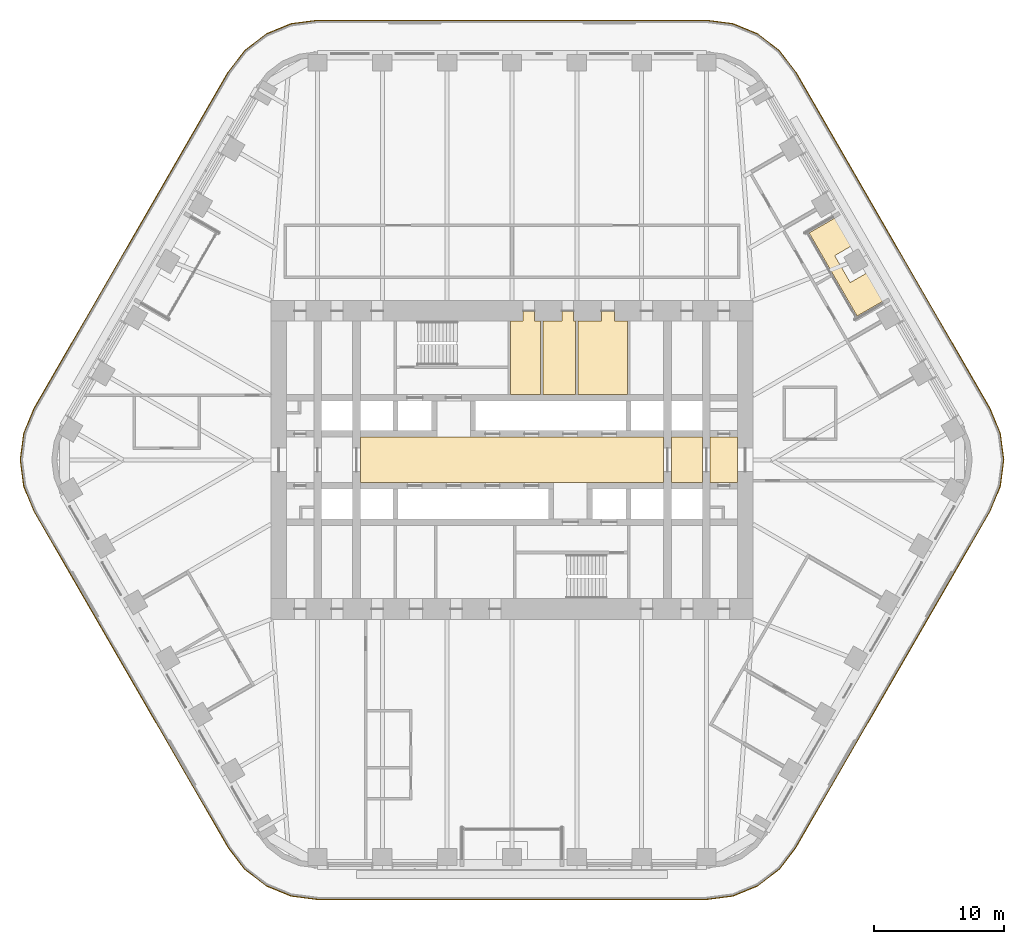
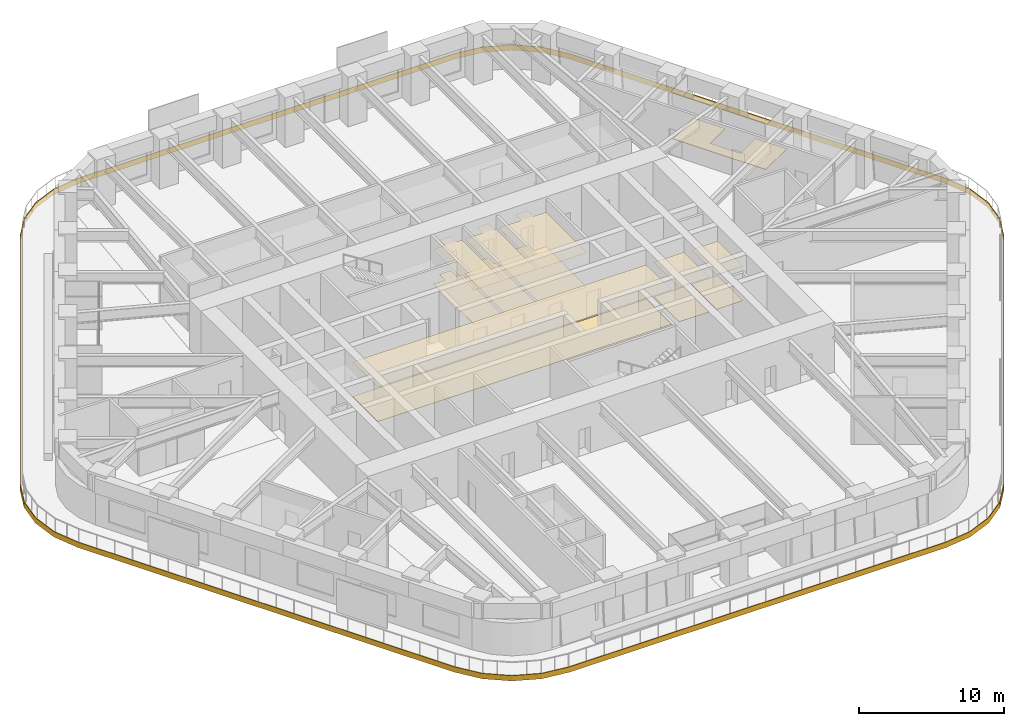
# One storey, part 23 of 24: 14 coverings.
"""IFC4 building model written with IfcOpenShell, lengths in metres."""

from ifc_helpers import new_model, si_unit, direction, frame, origin, place, context, subcontext, project, spatial, polyline, outline, extrude, material, layer, layer_set, type_object, element, save


model = new_model("IFC4")

# Units and contexts
model_context = context("Model", 3, precision=1e-05, world=origin(), true_north=direction((0.0, 1.0)))
body_context = subcontext(model_context, "Body", "Model", "MODEL_VIEW")
ifc_project = project(units=[si_unit("LENGTHUNIT", "METRE"), si_unit("AREAUNIT", "SQUARE_METRE"), si_unit("VOLUMEUNIT", "CUBIC_METRE"), si_unit("PLANEANGLEUNIT", "RADIAN"), si_unit("MASSUNIT", "GRAM", prefix="KILO")], contexts=[model_context])

# Site, building, storey
site_placement = place(None, origin())
site = spatial("IfcSite", under=ifc_project, at=site_placement, CompositionType="ELEMENT")
building_placement = place(site_placement, origin())
building = spatial("IfcBuilding", under=site, at=building_placement, Name="Tarfa Lantern Tower", CompositionType="ELEMENT")
storey_placement = place(building_placement, frame((0.0, 0.0, 190.89990234375)))
storey = spatial("IfcBuildingStorey", under=building, at=storey_placement, Name="L43", CompositionType="ELEMENT", Elevation=190.89990234375)

# Coverings
ifc_material_1 = material(Name="Moisture-resistant plasterboard", Category="finish")
ifc_layer_1 = layer(ifc_material_1, 0.014892578125)
ifc_layer_set_1 = layer_set([ifc_layer_1], Name="CL2 MOISTURE-RESISTANT PLASTERBOARD CEILING 15")
covering_type_1 = type_object("IfcCoveringType", Name="CL2 MOISTURE-RESISTANT PLASTERBOARD CEILING 15", PredefinedType="CEILING", material=ifc_layer_set_1)
covering_1_placement = place(storey_placement, frame((0.0, 0.0, 2.900146484375)))
element("IfcCovering", 1, at=covering_1_placement, inside=storey, type_object=covering_type_1, Name="Ceiling L43-09", PredefinedType="CEILING", context=body_context, shape_type="SweptSolid", body=[
    extrude(outline(polyline([(0.85009765625, 10.699951171875), (-0.10009765625, 10.699951171875), (-0.10009765625, 5.050048828125), (2.199951171875, 5.050048828125), (2.199951171875, 10.699951171875), (1.75, 10.699951171875), (1.75, 11.5), (0.85009765625, 11.5), (0.85009765625, 10.699951171875)])), origin(), (0.0, 0.0, 1.0), 0.014892578125),
])
covering_2_placement = place(storey_placement, frame((0.0, 0.0, 2.900146484375)))
element("IfcCovering", 2, at=covering_2_placement, inside=storey, type_object=covering_type_1, Name="Ceiling L43-10", PredefinedType="CEILING", context=body_context, shape_type="SweptSolid", body=[
    extrude(outline(polyline([(2.39990234375, 5.050048828125), (4.89990234375, 5.050048828125), (4.89990234375, 10.699951171875), (4.75, 10.699951171875), (4.75, 11.5), (3.85009765625, 11.5), (3.85009765625, 10.699951171875), (2.39990234375, 10.699951171875), (2.39990234375, 5.050048828125)])), origin(), (0.0, 0.0, 1.0), 0.014892578125),
])
covering_3_placement = place(storey_placement, frame((0.0, 0.0, 2.900146484375)))
element("IfcCovering", 3, at=covering_3_placement, inside=storey, type_object=covering_type_1, Name="Ceiling L43-11", PredefinedType="CEILING", context=body_context, shape_type="SweptSolid", body=[
    extrude(outline(polyline([(5.10009765625, 5.050048828125), (8.89990234375, 5.050048828125), (8.89990234375, 10.699951171875), (7.89990234375, 10.699951171875), (7.89990234375, 11.5), (6.89990234375, 11.5), (6.89990234375, 10.699951171875), (5.10009765625, 10.699951171875), (5.10009765625, 5.050048828125)])), origin(), (0.0, 0.0, 1.0), 0.014892578125),
])
ifc_material_2 = material(Name="Powder-coated aluminium panel", Category="aluminium")
ifc_layer_2 = layer(ifc_material_2, 0.030029296875)
ifc_layer_set_2 = layer_set([ifc_layer_2], Name="CL3 METAL PANEL CEILING 30")
covering_type_2 = type_object("IfcCoveringType", Name="CL3 METAL PANEL CEILING 30", PredefinedType="CEILING", material=ifc_layer_set_2)
covering_4_placement = place(storey_placement, frame((0.0, 0.0, 2.900146484375)))
element("IfcCovering", 4, at=covering_4_placement, inside=storey, type_object=covering_type_2, Name="Ceiling L43-03", PredefinedType="CEILING", context=body_context, shape_type="SweptSolid", body=[
    extrude(outline(polyline([(-11.699951171875, -1.75), (11.699951171875, -1.75), (11.699951171875, 1.75), (-11.699951171875, 1.75), (-11.699951171875, -1.75)])), origin(), (0.0, 0.0, 1.0), 0.030029296875),
])
covering_5_placement = place(storey_placement, frame((0.0, 0.0, 2.900146484375)))
element("IfcCovering", 5, at=covering_5_placement, inside=storey, type_object=covering_type_2, Name="Ceiling L43-04", PredefinedType="CEILING", context=body_context, shape_type="SweptSolid", body=[
    extrude(outline(polyline([(12.300048828125, -1.75), (14.699951171875, -1.75), (14.699951171875, 1.75), (12.300048828125, 1.75), (12.300048828125, -1.75)])), origin(), (0.0, 0.0, 1.0), 0.030029296875),
])
covering_6_placement = place(storey_placement, frame((0.0, 0.0, 2.900146484375)))
element("IfcCovering", 6, at=covering_6_placement, inside=storey, type_object=covering_type_2, Name="Ceiling L43-05", PredefinedType="CEILING", context=body_context, shape_type="SweptSolid", body=[
    extrude(outline(polyline([(15.300048828125, -1.75), (17.39990234375, -1.75), (17.39990234375, 1.75), (15.300048828125, 1.75), (15.300048828125, -1.75)])), origin(), (0.0, 0.0, 1.0), 0.030029296875),
])
ifc_material_3 = material(Name="Honed limestone flooring", Category="masonry")
ifc_layer_3 = layer(ifc_material_3, 0.030029296875)
ifc_layer_set_3 = layer_set([ifc_layer_3], Name="FL2 STONE FLOORING 30")
covering_type_3 = type_object("IfcCoveringType", Name="FL2 STONE FLOORING 30", PredefinedType="FLOORING", material=ifc_layer_set_3)
covering_7_placement = place(storey_placement, origin())
element("IfcCovering", 7, at=covering_7_placement, inside=storey, type_object=covering_type_3, Name="Floor finish L43-03", PredefinedType="FLOORING", context=body_context, shape_type="SweptSolid", body=[
    extrude(outline(polyline([(-11.699951171875, -1.75), (11.699951171875, -1.75), (11.699951171875, 1.75), (-11.699951171875, 1.75), (-11.699951171875, -1.75)])), origin(), (0.0, 0.0, 1.0), 0.030029296875),
])
covering_8_placement = place(storey_placement, origin())
element("IfcCovering", 8, at=covering_8_placement, inside=storey, type_object=covering_type_3, Name="Floor finish L43-04", PredefinedType="FLOORING", context=body_context, shape_type="SweptSolid", body=[
    extrude(outline(polyline([(12.300048828125, -1.75), (14.699951171875, -1.75), (14.699951171875, 1.75), (12.300048828125, 1.75), (12.300048828125, -1.75)])), origin(), (0.0, 0.0, 1.0), 0.030029296875),
])
covering_9_placement = place(storey_placement, origin())
element("IfcCovering", 9, at=covering_9_placement, inside=storey, type_object=covering_type_3, Name="Floor finish L43-05", PredefinedType="FLOORING", context=body_context, shape_type="SweptSolid", body=[
    extrude(outline(polyline([(15.300048828125, -1.75), (17.39990234375, -1.75), (17.39990234375, 1.75), (15.300048828125, 1.75), (15.300048828125, -1.75)])), origin(), (0.0, 0.0, 1.0), 0.030029296875),
])
ifc_material_4 = material(Name="Porcelain floor tile", Category="finish")
ifc_layer_4 = layer(ifc_material_4, 0.011962890625)
ifc_layer_set_4 = layer_set([ifc_layer_4], Name="FL3 CERAMIC TILE 12")
covering_type_4 = type_object("IfcCoveringType", Name="FL3 CERAMIC TILE 12", PredefinedType="FLOORING", material=ifc_layer_set_4)
covering_10_placement = place(storey_placement, origin())
element("IfcCovering", 10, at=covering_10_placement, inside=storey, type_object=covering_type_4, Name="Floor finish L43-09", PredefinedType="FLOORING", context=body_context, shape_type="SweptSolid", body=[
    extrude(outline(polyline([(0.85009765625, 10.699951171875), (-0.10009765625, 10.699951171875), (-0.10009765625, 5.050048828125), (2.199951171875, 5.050048828125), (2.199951171875, 10.699951171875), (1.75, 10.699951171875), (1.75, 11.5), (0.85009765625, 11.5), (0.85009765625, 10.699951171875)])), origin(), (0.0, 0.0, 1.0), 0.01220703125),
])
covering_11_placement = place(storey_placement, origin())
element("IfcCovering", 11, at=covering_11_placement, inside=storey, type_object=covering_type_4, Name="Floor finish L43-10", PredefinedType="FLOORING", context=body_context, shape_type="SweptSolid", body=[
    extrude(outline(polyline([(2.39990234375, 5.050048828125), (4.89990234375, 5.050048828125), (4.89990234375, 10.699951171875), (4.75, 10.699951171875), (4.75, 11.5), (3.85009765625, 11.5), (3.85009765625, 10.699951171875), (2.39990234375, 10.699951171875), (2.39990234375, 5.050048828125)])), origin(), (0.0, 0.0, 1.0), 0.01220703125),
])
covering_12_placement = place(storey_placement, origin())
element("IfcCovering", 12, at=covering_12_placement, inside=storey, type_object=covering_type_4, Name="Floor finish L43-11", PredefinedType="FLOORING", context=body_context, shape_type="SweptSolid", body=[
    extrude(outline(polyline([(5.10009765625, 5.050048828125), (8.89990234375, 5.050048828125), (8.89990234375, 10.699951171875), (7.89990234375, 10.699951171875), (7.89990234375, 11.5), (6.89990234375, 11.5), (6.89990234375, 10.699951171875), (5.10009765625, 10.699951171875), (5.10009765625, 5.050048828125)])), origin(), (0.0, 0.0, 1.0), 0.01220703125),
])
ifc_material_5 = material(Name="Porcelain pavers on pedestals", Category="ceramic")
ifc_layer_5 = layer(ifc_material_5, 0.0400390625)
ifc_layer_set_5 = layer_set([ifc_layer_5], Name="LP1 LOGGIA PAVING 40")
covering_type_5 = type_object("IfcCoveringType", Name="LP1 LOGGIA PAVING 40", PredefinedType="FLOORING", material=ifc_layer_set_5)
covering_13_placement = place(storey_placement, origin())
element("IfcCovering", 13, at=covering_13_placement, inside=storey, type_object=covering_type_5, Name="Loggia paving NE", PredefinedType="FLOORING", context=body_context, shape_type="SweptSolid", body=[
    extrude(outline(polyline([(29.131591796875, 12.54248046875), (26.637451171875, 11.1025390625), (22.933837890625, 17.517578125), (25.427978515625, 18.95751953125), (26.6796875, 16.789306640625), (24.904541015625, 15.76416015625), (26.1044921875, 13.685791015625), (27.8798828125, 14.710693359375), (29.131591796875, 12.54248046875)])), origin(), (0.0, 0.0, 1.0), 0.0400390625),
])
ifc_material_6 = material(Name="Limestone cladding on brackets", Category="masonry")
ifc_layer_6 = layer(ifc_material_6, 0.050048828125)
ifc_layer_set_6 = layer_set([ifc_layer_6], Name="SB1 STONE BAND CLADDING 50")
covering_type_6 = type_object("IfcCoveringType", Name="SB1 STONE BAND CLADDING 50", PredefinedType="CLADDING", material=ifc_layer_set_6)
covering_14_placement = place(storey_placement, frame((0.0, 0.0, -0.39990234375)))
element("IfcCovering", 14, at=covering_14_placement, inside=storey, type_object=covering_type_6, Name="Stone band", PredefinedType="CLADDING", context=body_context, shape_type="SweptSolid", body=[
    extrude(outline(polyline([(36.9072265625, 3.97509765625), (21.89599609375, 29.97509765625), (20.632568359375, 31.62158203125), (18.986083984375, 32.885009765625), (17.068603515625, 33.67919921875), (15.010986328125, 33.949951171875), (-15.010986328125, 33.949951171875), (-17.068603515625, 33.67919921875), (-18.986083984375, 32.885009765625), (-20.632568359375, 31.62158203125), (-21.89599609375, 29.97509765625), (-36.9072265625, 3.97509765625), (-37.701416015625, 2.0576171875), (-37.97216796875, 0.0), (-37.701416015625, -2.0576171875), (-36.9072265625, -3.97509765625), (-21.89599609375, -29.97509765625), (-20.632568359375, -31.62158203125), (-18.986083984375, -32.885009765625), (-17.068603515625, -33.67919921875), (-15.010986328125, -33.949951171875), (15.010986328125, -33.949951171875), (17.068603515625, -33.67919921875), (18.986083984375, -32.885009765625), (20.632568359375, -31.62158203125), (21.89599609375, -29.97509765625), (36.9072265625, -3.97509765625), (37.701416015625, -2.0576171875), (37.97216796875, 0.0), (37.701416015625, 2.0576171875), (36.9072265625, 3.97509765625)]), holes=[polyline([(36.86376953125, 3.949951171875), (21.852783203125, 29.949951171875), (20.59716796875, 31.586181640625), (18.961181640625, 32.841552734375), (17.0556640625, 33.630859375), (15.010986328125, 33.89990234375), (-15.010986328125, 33.89990234375), (-17.0556640625, 33.630859375), (-18.961181640625, 32.841552734375), (-20.59716796875, 31.586181640625), (-21.852783203125, 29.949951171875), (-36.86376953125, 3.949951171875), (-37.653076171875, 2.044677734375), (-37.922119140625, 0.0), (-37.653076171875, -2.044677734375), (-36.86376953125, -3.949951171875), (-21.852783203125, -29.949951171875), (-20.59716796875, -31.586181640625), (-18.961181640625, -32.841552734375), (-17.0556640625, -33.630859375), (-15.010986328125, -33.89990234375), (15.010986328125, -33.89990234375), (17.0556640625, -33.630859375), (18.961181640625, -32.841552734375), (20.59716796875, -31.586181640625), (21.852783203125, -29.949951171875), (36.86376953125, -3.949951171875), (37.653076171875, -2.044677734375), (37.922119140625, 0.0), (37.653076171875, 2.044677734375), (36.86376953125, 3.949951171875)])]), origin(), (0.0, 0.0, 1.0), 0.449951171875),
])

save(model, "model.ifc")
